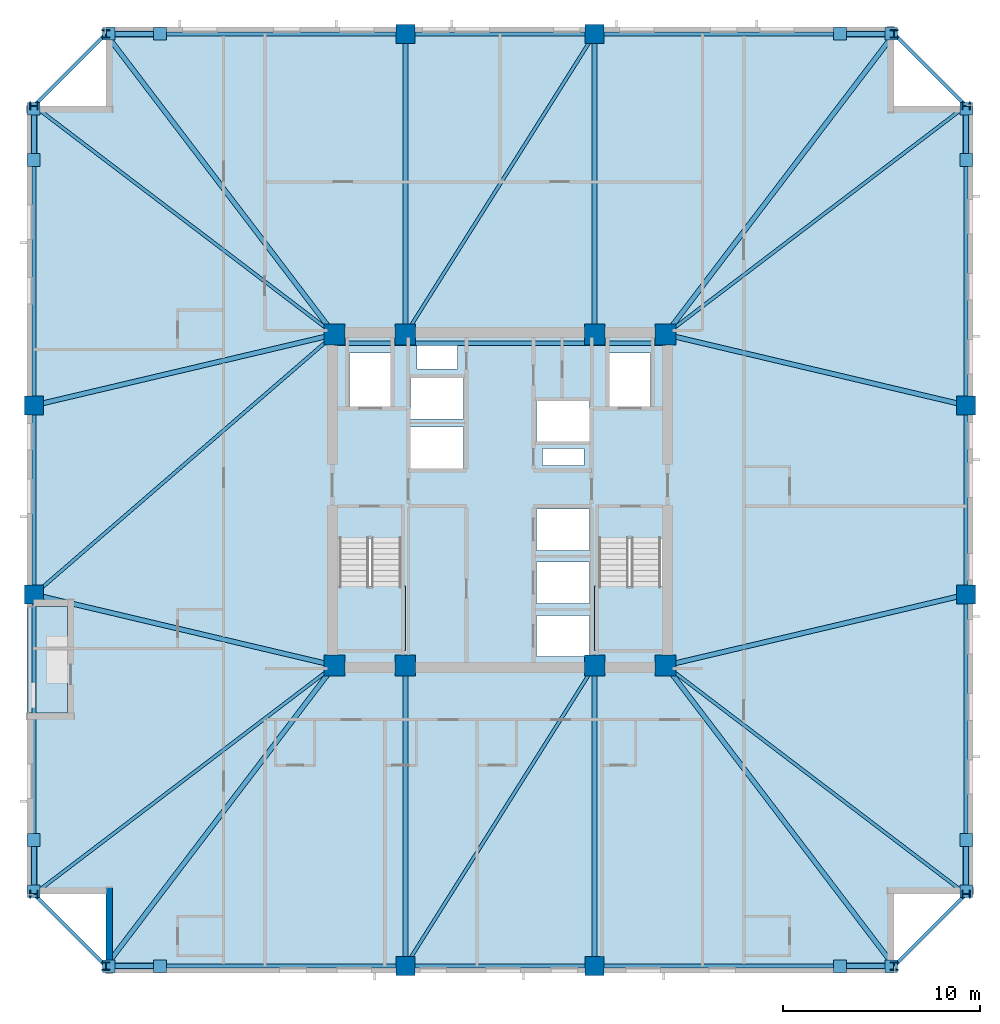
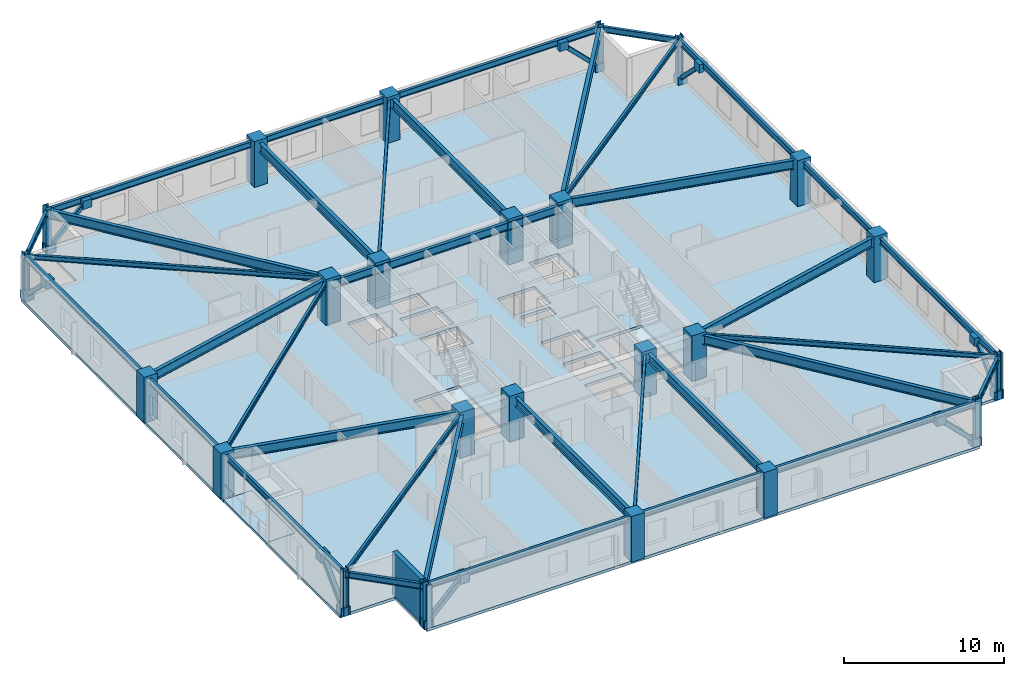
# One storey, part 1 of 10: 38 beams, 24 columns, 16 plates, 8 members, 4 slabs, 1 wall, 2 elements without a shape of their own.
"""IFC4 building model written with IfcOpenShell, lengths in metres."""

from ifc_helpers import new_model, si_unit, direction, frame, frame_2d, origin, origin_2d, place, context, subcontext, project, spatial, polyline, rectangle, hollow_rectangle, i_section, outline, extrude, material, layer, layer_set, material_profile, profile_set, type_object, element, aggregate, save


model = new_model("IFC4")

# Units and contexts
model_context = context("Model", 3, precision=1e-05, world=origin(), true_north=direction((0.0, 1.0)))
body_context = subcontext(model_context, "Body", "Model", "MODEL_VIEW")
ifc_project = project(units=[si_unit("LENGTHUNIT", "METRE"), si_unit("AREAUNIT", "SQUARE_METRE"), si_unit("VOLUMEUNIT", "CUBIC_METRE"), si_unit("PLANEANGLEUNIT", "RADIAN"), si_unit("MASSUNIT", "GRAM", prefix="KILO")], contexts=[model_context])

# Site, building, storey
site_placement = place(None, origin())
site = spatial("IfcSite", under=ifc_project, at=site_placement, CompositionType="ELEMENT")
building_placement = place(site_placement, origin())
building = spatial("IfcBuilding", under=site, at=building_placement, Name="Cairnveth Concourse Tower", CompositionType="ELEMENT")
storey_placement = place(building_placement, frame((0.0, 0.0, 137.5)))
storey = spatial("IfcBuildingStorey", under=building, at=storey_placement, Name="L37", CompositionType="ELEMENT", Elevation=137.5)

# Columns
ifc_material_1 = material(Name="Concrete N65 (65 MPa)", Category="concrete")
ifc_material_profile_1 = material_profile(ifc_material_1, rectangle(XDim=1.050048828125, YDim=1.050048828125, at=origin_2d()), Name="RC-COL-1050x1050")
ifc_profile_set_1 = profile_set([ifc_material_profile_1], Name="Concrete N65 (65 MPa)")
column_type_1 = type_object("IfcColumnType", Name="CORE COLUMN 1050X1050", PredefinedType="COLUMN", material=ifc_profile_set_1)
for number, where, z_axis, x_axis, name in (
    (1, (43.60009765625, 30.60009765625, 0.0), (0.0, 0.0, 1.0), (1.0, 0.0, 0.0), "Column CC1 L37"),
    (2, (47.199951171875, 30.60009765625, 0.0), (0.0, 0.0, 1.0), (1.0, 0.0, 0.0), "Column CC2 L37"),
    (3, (56.800048828125, 30.60009765625, 0.0), (0.0, 0.0, 1.0), (1.0, 0.0, 0.0), "Column CC3 L37"),
    (4, (60.39990234375, 30.60009765625, 0.0), (0.0, 0.0, 1.0), (1.0, 0.0, 0.0), "Column CC4 L37"),
    (5, (43.60009765625, 47.39990234375, 0.0), (0.0, 0.0, 1.0), (1.0, 0.0, 0.0), "Column CC5 L37"),
    (6, (47.199951171875, 47.39990234375, 0.0), (0.0, 0.0, 1.0), (1.0, 0.0, 0.0), "Column CC6 L37"),
    (7, (56.800048828125, 47.39990234375, 0.0), (0.0, 0.0, 1.0), (1.0, 0.0, 0.0), "Column CC7 L37"),
    (8, (60.39990234375, 47.39990234375, 0.0), (0.0, 0.0, 1.0), (1.0, 0.0, 0.0), "Column CC8 L37"),
):
    element("IfcColumn", number, at=place(storey_placement, frame(where, z_axis=z_axis, x_axis=x_axis)), inside=storey, type_object=column_type_1, Name=name, PredefinedType="COLUMN", context=body_context, shape_type="SweptSolid", body=[
        extrude(rectangle(XDim=1.050048828125, YDim=1.050048828125, at=origin_2d()), origin(), (0.0, 0.0, 1.0), 3.5),
    ])
ifc_material_profile_2 = material_profile(ifc_material_1, rectangle(XDim=0.949951171875, YDim=0.949951171875, at=origin_2d()), Name="RC-COL-950x950")
ifc_profile_set_2 = profile_set([ifc_material_profile_2], Name="Concrete N65 (65 MPa)")
column_type_2 = type_object("IfcColumnType", Name="PERIMETER PIER COLUMN 950X950", PredefinedType="COLUMN", material=ifc_profile_set_2)
for number, where, z_axis, x_axis, name in (
    (9, (47.199951171875, 15.35009765625, 0.0), (0.0, 0.0, 1.0), (1.0, 0.0, 0.0), "Column P-S2 L37"),
    (10, (56.800048828125, 15.35009765625, 0.0), (0.0, 0.0, 1.0), (1.0, 0.0, 0.0), "Column P-S3 L37"),
    (11, (75.64990234375, 34.199951171875, 0.0), (0.0, 0.0, 1.0), (0.0, 1.0, 0.0), "Column P-E2 L37"),
    (12, (75.64990234375, 43.800048828125, 0.0), (0.0, 0.0, 1.0), (0.0, 1.0, 0.0), "Column P-E3 L37"),
    (13, (56.800048828125, 62.64990234375, 0.0), (0.0, 0.0, 1.0), (1.0, 0.0, 0.0), "Column P-N2 L37"),
    (14, (47.199951171875, 62.64990234375, 0.0), (0.0, 0.0, 1.0), (1.0, 0.0, 0.0), "Column P-N3 L37"),
    (15, (28.35009765625, 43.800048828125, 0.0), (0.0, 0.0, 1.0), (0.0, 1.0, 0.0), "Column P-W2 L37"),
    (16, (28.35009765625, 34.199951171875, 0.0), (0.0, 0.0, 1.0), (0.0, 1.0, 0.0), "Column P-W3 L37"),
):
    element("IfcColumn", number, at=place(storey_placement, frame(where, z_axis=z_axis, x_axis=x_axis)), inside=storey, type_object=column_type_2, Name=name, PredefinedType="COLUMN", context=body_context, shape_type="SweptSolid", body=[
        extrude(rectangle(XDim=0.949951171875, YDim=0.949951171875, at=origin_2d()), origin(), (0.0, 0.0, 1.0), 3.5),
    ])
ifc_material_2 = material(Name="Steel Grade 350", Category="steel")
ifc_material_profile_3 = material_profile(ifc_material_2, i_section(OverallWidth=0.39990234375, OverallDepth=0.39990234375, WebThickness=0.02197265625, FlangeThickness=0.035888671875, at=origin_2d()), Name="400WC270")
ifc_profile_set_3 = profile_set([ifc_material_profile_3], Name="Steel Grade 350")
column_type_3 = type_object("IfcColumnType", Name="WELDED STEEL COLUMN 400WC270", PredefinedType="COLUMN", material=ifc_profile_set_3)
for number, where, z_axis, x_axis, name in (
    (17, (32.0, 15.35009765625, 0.0), (0.0, 0.0, 1.0), (1.0, 0.0, 0.0), "Column P-S1 L37"),
    (18, (72.0, 15.35009765625, 0.0), (0.0, 0.0, 1.0), (1.0, 0.0, 0.0), "Column P-S4 L37"),
    (19, (75.64990234375, 19.0, 0.0), (0.0, 0.0, 1.0), (0.0, 1.0, 0.0), "Column P-E1 L37"),
    (20, (75.64990234375, 59.0, 0.0), (0.0, 0.0, 1.0), (0.0, 1.0, 0.0), "Column P-E4 L37"),
    (21, (72.0, 62.64990234375, 0.0), (0.0, 0.0, 1.0), (1.0, 0.0, 0.0), "Column P-N1 L37"),
    (22, (32.0, 62.64990234375, 0.0), (0.0, 0.0, 1.0), (1.0, 0.0, 0.0), "Column P-N4 L37"),
    (23, (28.35009765625, 59.0, 0.0), (0.0, 0.0, 1.0), (0.0, 1.0, 0.0), "Column P-W1 L37"),
    (24, (28.35009765625, 19.0, 0.0), (0.0, 0.0, 1.0), (0.0, 1.0, 0.0), "Column P-W4 L37"),
):
    element("IfcColumn", number, at=place(storey_placement, frame(where, z_axis=z_axis, x_axis=x_axis)), inside=storey, type_object=column_type_3, Name=name, PredefinedType="COLUMN", context=body_context, shape_type="SweptSolid", body=[
        extrude(i_section(OverallWidth=0.39990234375, OverallDepth=0.39990234375, WebThickness=0.02197265625, FlangeThickness=0.035888671875, at=origin_2d()), origin(), (0.0, 0.0, 1.0), 3.5),
    ])

# Beams
ifc_material_profile_4 = material_profile(ifc_material_2, i_section(OverallWidth=0.22802734375, OverallDepth=0.60693359375, WebThickness=0.01123046875, FlangeThickness=0.017333984375, FilletRadius=0.013916015625, at=origin_2d()), Name="610UB113")
ifc_profile_set_4 = profile_set([ifc_material_profile_4], Name="Steel Grade 350")
beam_type_1 = type_object("IfcBeamType", Name="CORE TIE BEAM 610UB113", PredefinedType="T_BEAM", material=ifc_profile_set_4)
for number, where, z_axis, x_axis, name in (
    (25, (43.60009765625, 46.949951171875, 2.9765625), (1.0, 0.0, 0.0), (0.0, 1.0, 0.0), "Beam CT-N1 L37"),
    (26, (56.800048828125, 46.949951171875, 2.9765625), (1.0, 0.0, 0.0), (0.0, 1.0, 0.0), "Beam CT-N3 L37"),
):
    element("IfcBeam", number, at=place(storey_placement, frame(where, z_axis=z_axis, x_axis=x_axis)), inside=storey, type_object=beam_type_1, Name=name, PredefinedType="T_BEAM", context=body_context, shape_type="SweptSolid", body=[
        extrude(i_section(OverallWidth=0.22802734375, OverallDepth=0.60693359375, WebThickness=0.01123046875, FlangeThickness=0.017333984375, FilletRadius=0.013916015625, at=origin_2d()), origin(), (0.0, 0.0, 1.0), 3.599853515625),
    ])
beam_1_placement = place(storey_placement, frame((47.199951171875, 46.949951171875, 2.9765625), z_axis=(1.0, 0.0, 0.0), x_axis=(0.0, 1.0, 0.0)))
element("IfcBeam", 27, at=beam_1_placement, inside=storey, type_object=beam_type_1, Name="Beam CT-N2 L37", PredefinedType="T_BEAM", context=body_context, shape_type="SweptSolid", body=[
    extrude(i_section(OverallWidth=0.22802734375, OverallDepth=0.60693359375, WebThickness=0.01123046875, FlangeThickness=0.017333984375, FilletRadius=0.013916015625, at=origin_2d()), origin(), (0.0, 0.0, 1.0), 9.60009765625),
])
ifc_material_profile_5 = material_profile(ifc_material_2, i_section(OverallWidth=0.172119140625, OverallDepth=0.35888671875, WebThickness=0.008056640625, FlangeThickness=0.012939453125, FilletRadius=0.010986328125, at=origin_2d()), Name="360UB56.7")
ifc_profile_set_5 = profile_set([ifc_material_profile_5], Name="Steel Grade 350")
beam_type_2 = type_object("IfcBeamType", Name="ZONE 2 FLOOR JOIST 360UB56.7", PredefinedType="JOIST", material=ifc_profile_set_5)
for number, where, z_axis, x_axis, name in (
    (28, (28.35009765625, 19.0, 3.1005859375), (0.795908242904, 0.6054172684, 0.0), (-0.6054172684, 0.795908242904, 0.0), "Beam FJ-CSW2 L37"),
    (29, (75.64990234375, 19.0, 3.1005859375), (-0.795908242904, 0.6054172684, 0.0), (-0.6054172684, -0.795908242904, 0.0), "Beam FJ-CSE2 L37"),
    (30, (75.64990234375, 59.0, 3.1005859375), (-0.795908242904, -0.6054172684, 0.0), (0.6054172684, -0.795908242904, 0.0), "Beam FJ-CNE2 L37"),
    (31, (28.35009765625, 59.0, 3.1005859375), (0.795908242904, -0.6054172684, 0.0), (0.6054172684, 0.795908242904, 0.0), "Beam FJ-CNW2 L37"),
):
    element("IfcBeam", number, at=place(storey_placement, frame(where, z_axis=z_axis, x_axis=x_axis)), inside=storey, type_object=beam_type_2, Name=name, PredefinedType="JOIST", context=body_context, shape_type="SweptSolid", body=[
        extrude(i_section(OverallWidth=0.172119140625, OverallDepth=0.35888671875, WebThickness=0.008056640625, FlangeThickness=0.012939453125, FilletRadius=0.010986328125, at=origin_2d()), origin(), (0.0, 0.0, 1.0), 19.160400390625),
    ])
for number, where, z_axis, x_axis, name in (
    (32, (47.199951171875, 15.35009765625, 3.1005859375), (0.532743557037, 0.84627672923, 0.0), (-0.84627672923, 0.532743557037, 0.0), "Beam FJ-S-M1 L37"),
    (33, (47.199951171875, 47.39990234375, 3.1005859375), (0.532743557037, 0.84627672923, 0.0), (-0.84627672923, 0.532743557037, 0.0), "Beam FJ-N-M1 L37"),
):
    element("IfcBeam", number, at=place(storey_placement, frame(where, z_axis=z_axis, x_axis=x_axis)), inside=storey, type_object=beam_type_2, Name=name, PredefinedType="JOIST", context=body_context, shape_type="SweptSolid", body=[
        extrude(i_section(OverallWidth=0.172119140625, OverallDepth=0.35888671875, WebThickness=0.008056640625, FlangeThickness=0.012939453125, FilletRadius=0.010986328125, at=origin_2d()), origin(), (0.0, 0.0, 1.0), 18.02001953125),
    ])
beam_2_placement = place(storey_placement, frame((28.35009765625, 34.199951171875, 3.1005859375), z_axis=(0.756099107057, 0.654457134049, 0.0), x_axis=(-0.654457134049, 0.756099107057, 0.0)))
element("IfcBeam", 34, at=beam_2_placement, inside=storey, type_object=beam_type_2, Name="Beam FJ-W-M1 L37", PredefinedType="JOIST", context=body_context, shape_type="SweptSolid", body=[
    extrude(i_section(OverallWidth=0.172119140625, OverallDepth=0.35888671875, WebThickness=0.008056640625, FlangeThickness=0.012939453125, FilletRadius=0.010986328125, at=origin_2d()), origin(), (0.0, 0.0, 1.0), 20.16943359375),
])

# Members
ifc_material_3 = material(Name="Steel C350L0 (350 MPa)", Category="steel")
ifc_material_profile_6 = material_profile(ifc_material_3, hollow_rectangle(XDim=0.300048828125, YDim=0.300048828125, WallThickness=0.01611328125, InnerFilletRadius=0.01611328125, OuterFilletRadius=0.031982421875, at=origin_2d()), Name="300x300x16.0SHS")
ifc_profile_set_6 = profile_set([ifc_material_profile_6], Name="Steel C350L0 (350 MPa)")
member_type = type_object("IfcMemberType", Name="ZONE 2 PIER BRACE 300X300X16SHS", PredefinedType="BRACE", material=ifc_profile_set_6)
for number, where, z_axis, x_axis, name in (
    (35, (32.14990234375, 15.35009765625, 0.25), (0.709834195787, 0.0, 0.704368805735), (0.0, 1.0, 0.0), "Structural Brace PB-S1 L37"),
    (36, (71.85009765625, 15.35009765625, 0.25), (-0.709834195787, 0.0, 0.704368805735), (0.0, -1.0, 0.0), "Structural Brace PB-S2 L37"),
    (37, (32.14990234375, 62.64990234375, 0.25), (0.709834195787, 0.0, 0.704368805735), (0.0, 1.0, 0.0), "Structural Brace PB-N1 L37"),
    (38, (71.85009765625, 62.64990234375, 0.25), (-0.709834195787, 0.0, 0.704368805735), (0.0, -1.0, 0.0), "Structural Brace PB-N2 L37"),
    (39, (28.35009765625, 19.14990234375, 0.25), (0.0, 0.709834195787, 0.704368805735), (-1.0, 0.0, 0.0), "Structural Brace PB-W1 L37"),
    (40, (28.35009765625, 58.85009765625, 0.25), (0.0, -0.709834195787, 0.704368805735), (1.0, 0.0, 0.0), "Structural Brace PB-W2 L37"),
    (41, (75.64990234375, 19.14990234375, 0.25), (0.0, 0.709834195787, 0.704368805735), (-1.0, 0.0, 0.0), "Structural Brace PB-E1 L37"),
    (42, (75.64990234375, 58.85009765625, 0.25), (0.0, -0.709834195787, 0.704368805735), (1.0, 0.0, 0.0), "Structural Brace PB-E2 L37"),
):
    element("IfcMember", number, at=place(storey_placement, frame(where, z_axis=z_axis, x_axis=x_axis)), inside=storey, type_object=member_type, Name=name, PredefinedType="BRACE", context=body_context, shape_type="SweptSolid", body=[
        extrude(hollow_rectangle(XDim=0.300048828125, YDim=0.300048828125, WallThickness=0.01611328125, InnerFilletRadius=0.01611328125, OuterFilletRadius=0.031982421875, at=origin_2d()), origin(), (0.0, 0.0, 1.0), 3.6630859375),
    ])

# Beams
ifc_material_profile_7 = material_profile(ifc_material_2, i_section(OverallWidth=0.25, OverallDepth=0.699951171875, WebThickness=0.011962890625, FlangeThickness=0.028076171875, at=origin_2d()), Name="700WB173")
ifc_profile_set_7 = profile_set([ifc_material_profile_7], Name="Steel Grade 350")
beam_type_3 = type_object("IfcBeamType", Name="ZONE 2 RADIAL GIRDER 700WB173", PredefinedType="BEAM", material=ifc_profile_set_7)
for number, where, z_axis, x_axis, name in (
    (43, (47.199951171875, 15.35009765625, 2.929931640625), (0.0, 1.0, 0.0), (-1.0, 0.0, 0.0), "Beam RG-S1 L37"),
    (44, (56.800048828125, 15.35009765625, 2.929931640625), (0.0, 1.0, 0.0), (-1.0, 0.0, 0.0), "Beam RG-S2 L37"),
    (45, (47.199951171875, 47.39990234375, 2.929931640625), (0.0, 1.0, 0.0), (-1.0, 0.0, 0.0), "Beam RG-N1 L37"),
    (46, (56.800048828125, 47.39990234375, 2.929931640625), (0.0, 1.0, 0.0), (-1.0, 0.0, 0.0), "Beam RG-N2 L37"),
):
    element("IfcBeam", number, at=place(storey_placement, frame(where, z_axis=z_axis, x_axis=x_axis)), inside=storey, type_object=beam_type_3, Name=name, PredefinedType="BEAM", context=body_context, shape_type="SweptSolid", body=[
        extrude(i_section(OverallWidth=0.25, OverallDepth=0.699951171875, WebThickness=0.011962890625, FlangeThickness=0.028076171875, at=origin_2d()), origin(), (0.0, 0.0, 1.0), 15.25),
    ])
for number, where, z_axis, x_axis, name in (
    (47, (28.35009765625, 34.199951171875, 2.929931640625), (0.973251602929, -0.229741849468, 0.0), (0.229741849468, 0.973251602929, 0.0), "Beam RG-W1 L37"),
    (48, (28.35009765625, 43.800048828125, 2.929931640625), (0.973251602929, 0.229741849468, 0.0), (-0.229741849468, 0.973251602929, 0.0), "Beam RG-W2 L37"),
    (49, (60.39990234375, 30.60009765625, 2.929931640625), (0.973251602929, 0.229741849468, 0.0), (-0.229741849468, 0.973251602929, 0.0), "Beam RG-E1 L37"),
    (50, (60.39990234375, 47.39990234375, 2.929931640625), (0.973251602929, -0.229741849468, 0.0), (0.229741849468, 0.973251602929, 0.0), "Beam RG-E2 L37"),
):
    element("IfcBeam", number, at=place(storey_placement, frame(where, z_axis=z_axis, x_axis=x_axis)), inside=storey, type_object=beam_type_3, Name=name, PredefinedType="BEAM", context=body_context, shape_type="SweptSolid", body=[
        extrude(i_section(OverallWidth=0.25, OverallDepth=0.699951171875, WebThickness=0.011962890625, FlangeThickness=0.028076171875, at=origin_2d()), origin(), (0.0, 0.0, 1.0), 15.669189453125),
    ])
for number, where, z_axis, x_axis, name in (
    (51, (32.0, 15.35009765625, 2.929931640625), (0.6054172684, 0.795908242904, 0.0), (-0.795908242904, 0.6054172684, 0.0), "Beam RG-CSW L37"),
    (52, (72.0, 15.35009765625, 2.929931640625), (-0.6054172684, 0.795908242904, 0.0), (-0.795908242904, -0.6054172684, 0.0), "Beam RG-CSE L37"),
    (53, (72.0, 62.64990234375, 2.929931640625), (-0.6054172684, -0.795908242904, 0.0), (0.795908242904, -0.6054172684, 0.0), "Beam RG-CNE L37"),
    (54, (32.0, 62.64990234375, 2.929931640625), (0.6054172684, -0.795908242904, 0.0), (0.795908242904, 0.6054172684, 0.0), "Beam RG-CNW L37"),
):
    element("IfcBeam", number, at=place(storey_placement, frame(where, z_axis=z_axis, x_axis=x_axis)), inside=storey, type_object=beam_type_3, Name=name, PredefinedType="BEAM", context=body_context, shape_type="SweptSolid", body=[
        extrude(i_section(OverallWidth=0.25, OverallDepth=0.699951171875, WebThickness=0.011962890625, FlangeThickness=0.028076171875, at=origin_2d()), origin(), (0.0, 0.0, 1.0), 19.160400390625),
    ])
ifc_material_profile_8 = material_profile(ifc_material_2, i_section(OverallWidth=0.18994140625, OverallDepth=0.45703125, WebThickness=0.009033203125, FlangeThickness=0.014404296875, FilletRadius=0.010986328125, at=origin_2d()), Name="460UB74.6")
ifc_profile_set_8 = profile_set([ifc_material_profile_8], Name="Steel Grade 350")
beam_type_4 = type_object("IfcBeamType", Name="ZONE 2 SPANDREL BEAM 460UB74.6", PredefinedType="SPANDREL", material=ifc_profile_set_8)
beam_3_placement = place(storey_placement, frame((32.0, 15.35009765625, 3.051513671875), z_axis=(1.0, 0.0, 0.0), x_axis=(0.0, 1.0, 0.0)))
element("IfcBeam", 55, at=beam_3_placement, inside=storey, type_object=beam_type_4, Name="Beam SP-S1 L37", PredefinedType="SPANDREL", context=body_context, shape_type="SweptSolid", body=[
    extrude(i_section(OverallWidth=0.18994140625, OverallDepth=0.45703125, WebThickness=0.009033203125, FlangeThickness=0.014404296875, FilletRadius=0.010986328125, at=origin_2d()), origin(), (0.0, 0.0, 1.0), 15.199951171875),
])
beam_4_placement = place(storey_placement, frame((47.199951171875, 15.35009765625, 3.051513671875), z_axis=(1.0, 0.0, 0.0), x_axis=(0.0, 1.0, 0.0)))
element("IfcBeam", 56, at=beam_4_placement, inside=storey, type_object=beam_type_4, Name="Beam SP-S2 L37", PredefinedType="SPANDREL", context=body_context, shape_type="SweptSolid", body=[
    extrude(i_section(OverallWidth=0.18994140625, OverallDepth=0.45703125, WebThickness=0.009033203125, FlangeThickness=0.014404296875, FilletRadius=0.010986328125, at=origin_2d()), origin(), (0.0, 0.0, 1.0), 9.60009765625),
])
for number, where, z_axis, x_axis, name in (
    (57, (56.800048828125, 15.35009765625, 3.051513671875), (1.0, 0.0, 0.0), (0.0, 1.0, 0.0), "Beam SP-S3 L37"),
    (58, (32.0, 62.64990234375, 3.051513671875), (1.0, 0.0, 0.0), (0.0, 1.0, 0.0), "Beam SP-N1 L37"),
):
    element("IfcBeam", number, at=place(storey_placement, frame(where, z_axis=z_axis, x_axis=x_axis)), inside=storey, type_object=beam_type_4, Name=name, PredefinedType="SPANDREL", context=body_context, shape_type="SweptSolid", body=[
        extrude(i_section(OverallWidth=0.18994140625, OverallDepth=0.45703125, WebThickness=0.009033203125, FlangeThickness=0.014404296875, FilletRadius=0.010986328125, at=origin_2d()), origin(), (0.0, 0.0, 1.0), 15.199951171875),
    ])
beam_5_placement = place(storey_placement, frame((47.199951171875, 62.64990234375, 3.051513671875), z_axis=(1.0, 0.0, 0.0), x_axis=(0.0, 1.0, 0.0)))
element("IfcBeam", 59, at=beam_5_placement, inside=storey, type_object=beam_type_4, Name="Beam SP-N2 L37", PredefinedType="SPANDREL", context=body_context, shape_type="SweptSolid", body=[
    extrude(i_section(OverallWidth=0.18994140625, OverallDepth=0.45703125, WebThickness=0.009033203125, FlangeThickness=0.014404296875, FilletRadius=0.010986328125, at=origin_2d()), origin(), (0.0, 0.0, 1.0), 9.60009765625),
])
for number, where, z_axis, x_axis, name in (
    (60, (56.800048828125, 62.64990234375, 3.051513671875), (1.0, 0.0, 0.0), (0.0, 1.0, 0.0), "Beam SP-N3 L37"),
    (61, (28.35009765625, 19.0, 3.051513671875), (0.0, 1.0, 0.0), (-1.0, 0.0, 0.0), "Beam SP-W1 L37"),
):
    element("IfcBeam", number, at=place(storey_placement, frame(where, z_axis=z_axis, x_axis=x_axis)), inside=storey, type_object=beam_type_4, Name=name, PredefinedType="SPANDREL", context=body_context, shape_type="SweptSolid", body=[
        extrude(i_section(OverallWidth=0.18994140625, OverallDepth=0.45703125, WebThickness=0.009033203125, FlangeThickness=0.014404296875, FilletRadius=0.010986328125, at=origin_2d()), origin(), (0.0, 0.0, 1.0), 15.199951171875),
    ])
beam_6_placement = place(storey_placement, frame((28.35009765625, 34.199951171875, 3.051513671875), z_axis=(0.0, 1.0, 0.0), x_axis=(-1.0, 0.0, 0.0)))
element("IfcBeam", 62, at=beam_6_placement, inside=storey, type_object=beam_type_4, Name="Beam SP-W2 L37", PredefinedType="SPANDREL", context=body_context, shape_type="SweptSolid", body=[
    extrude(i_section(OverallWidth=0.18994140625, OverallDepth=0.45703125, WebThickness=0.009033203125, FlangeThickness=0.014404296875, FilletRadius=0.010986328125, at=origin_2d()), origin(), (0.0, 0.0, 1.0), 9.60009765625),
])
for number, where, z_axis, x_axis, name in (
    (63, (28.35009765625, 43.800048828125, 3.051513671875), (0.0, 1.0, 0.0), (-1.0, 0.0, 0.0), "Beam SP-W3 L37"),
    (64, (75.64990234375, 19.0, 3.051513671875), (0.0, 1.0, 0.0), (-1.0, 0.0, 0.0), "Beam SP-E1 L37"),
):
    element("IfcBeam", number, at=place(storey_placement, frame(where, z_axis=z_axis, x_axis=x_axis)), inside=storey, type_object=beam_type_4, Name=name, PredefinedType="SPANDREL", context=body_context, shape_type="SweptSolid", body=[
        extrude(i_section(OverallWidth=0.18994140625, OverallDepth=0.45703125, WebThickness=0.009033203125, FlangeThickness=0.014404296875, FilletRadius=0.010986328125, at=origin_2d()), origin(), (0.0, 0.0, 1.0), 15.199951171875),
    ])
beam_7_placement = place(storey_placement, frame((75.64990234375, 34.199951171875, 3.051513671875), z_axis=(0.0, 1.0, 0.0), x_axis=(-1.0, 0.0, 0.0)))
element("IfcBeam", 65, at=beam_7_placement, inside=storey, type_object=beam_type_4, Name="Beam SP-E2 L37", PredefinedType="SPANDREL", context=body_context, shape_type="SweptSolid", body=[
    extrude(i_section(OverallWidth=0.18994140625, OverallDepth=0.45703125, WebThickness=0.009033203125, FlangeThickness=0.014404296875, FilletRadius=0.010986328125, at=origin_2d()), origin(), (0.0, 0.0, 1.0), 9.60009765625),
])
beam_8_placement = place(storey_placement, frame((75.64990234375, 43.800048828125, 3.051513671875), z_axis=(0.0, 1.0, 0.0), x_axis=(-1.0, 0.0, 0.0)))
element("IfcBeam", 66, at=beam_8_placement, inside=storey, type_object=beam_type_4, Name="Beam SP-E3 L37", PredefinedType="SPANDREL", context=body_context, shape_type="SweptSolid", body=[
    extrude(i_section(OverallWidth=0.18994140625, OverallDepth=0.45703125, WebThickness=0.009033203125, FlangeThickness=0.014404296875, FilletRadius=0.010986328125, at=origin_2d()), origin(), (0.0, 0.0, 1.0), 15.199951171875),
])
for number, where, z_axis, x_axis, name in (
    (67, (28.35009765625, 19.0, 3.051513671875), (0.707106781187, -0.707106781187, 0.0), (0.707106781187, 0.707106781187, 0.0), "Beam SP-SW L37"),
    (68, (72.0, 15.35009765625, 3.051513671875), (0.707106781187, 0.707106781187, 0.0), (-0.707106781187, 0.707106781187, 0.0), "Beam SP-SE L37"),
    (69, (72.0, 62.64990234375, 3.051513671875), (0.707106781187, -0.707106781187, 0.0), (0.707106781187, 0.707106781187, 0.0), "Beam SP-NE L37"),
    (70, (28.35009765625, 59.0, 3.051513671875), (0.707106781187, 0.707106781187, 0.0), (-0.707106781187, 0.707106781187, 0.0), "Beam SP-NW L37"),
):
    element("IfcBeam", number, at=place(storey_placement, frame(where, z_axis=z_axis, x_axis=x_axis)), inside=storey, type_object=beam_type_4, Name=name, PredefinedType="SPANDREL", context=body_context, shape_type="SweptSolid", body=[
        extrude(i_section(OverallWidth=0.18994140625, OverallDepth=0.45703125, WebThickness=0.009033203125, FlangeThickness=0.014404296875, FilletRadius=0.010986328125, at=origin_2d()), origin(), (0.0, 0.0, 1.0), 5.16162109375),
    ])

# Slab
ifc_material_4 = material(Name="Concrete N50 (50 MPa)", Category="concrete")
ifc_layer_1 = layer(ifc_material_4, 0.219970703125)
ifc_layer_set_1 = layer_set([ifc_layer_1], Name="Concrete N50 (50 MPa)")
slab_type_1 = type_object("IfcSlabType", Name="LOWER TOWER COMPOSITE SLAB 220", PredefinedType="FLOOR", material=ifc_layer_set_1)
slab_1_placement = place(storey_placement, frame((0.0, 0.0, -0.219970703125)))
element("IfcSlab", 71, at=slab_1_placement, inside=storey, type_object=slab_type_1, Name="Tower Floor Slab L37", PredefinedType="FLOOR", context=body_context, shape_type="SweptSolid", body=[
    extrude(outline(polyline([(28.0, 33.60009765625), (30.050048828125, 33.60009765625), (30.050048828125, 28.199951171875), (28.0, 28.199951171875), (28.0, 19.0), (32.0, 19.0), (32.0, 15.0), (72.0, 15.0), (72.0, 19.0), (76.0, 19.0), (76.0, 59.0), (72.0, 59.0), (72.0, 63.0), (32.0, 63.0), (32.0, 59.0), (28.0, 59.0), (28.0, 33.60009765625)]), holes=[polyline([(43.760009765625, 31.360107421875), (47.06005859375, 31.360107421875), (47.06005859375, 37.0400390625), (43.760009765625, 37.0400390625), (43.760009765625, 31.360107421875)]), polyline([(56.93994140625, 31.360107421875), (60.239990234375, 31.360107421875), (60.239990234375, 37.0400390625), (56.93994140625, 37.0400390625), (56.93994140625, 31.360107421875)]), polyline([(44.3701171875, 43.75), (46.469970703125, 43.75), (46.469970703125, 46.449951171875), (44.3701171875, 46.449951171875), (44.3701171875, 43.75)]), polyline([(57.530029296875, 43.75), (59.6298828125, 43.75), (59.6298828125, 46.449951171875), (57.530029296875, 46.449951171875), (57.530029296875, 43.75)]), polyline([(53.85009765625, 31.050048828125), (56.550048828125, 31.050048828125), (56.550048828125, 33.14990234375), (53.85009765625, 33.14990234375), (53.85009765625, 31.050048828125)]), polyline([(53.85009765625, 33.75), (56.550048828125, 33.75), (56.550048828125, 35.85009765625), (53.85009765625, 35.85009765625), (53.85009765625, 33.75)]), polyline([(53.85009765625, 36.449951171875), (56.550048828125, 36.449951171875), (56.550048828125, 38.550048828125), (53.85009765625, 38.550048828125), (53.85009765625, 36.449951171875)]), polyline([(47.449951171875, 40.60009765625), (50.14990234375, 40.60009765625), (50.14990234375, 42.699951171875), (47.449951171875, 42.699951171875), (47.449951171875, 40.60009765625)]), polyline([(47.449951171875, 43.10009765625), (50.14990234375, 43.10009765625), (50.14990234375, 45.199951171875), (47.449951171875, 45.199951171875), (47.449951171875, 43.10009765625)]), polyline([(53.85009765625, 41.949951171875), (56.550048828125, 41.949951171875), (56.550048828125, 44.050048828125), (53.85009765625, 44.050048828125), (53.85009765625, 41.949951171875)]), polyline([(47.800048828125, 45.64990234375), (49.85009765625, 45.64990234375), (49.85009765625, 47.050048828125), (47.800048828125, 47.050048828125), (47.800048828125, 45.64990234375)]), polyline([(54.14990234375, 40.75), (56.25, 40.75), (56.25, 41.6201171875), (54.14990234375, 41.6201171875), (54.14990234375, 40.75)])]), origin(), (0.0, 0.0, 1.0), 0.219970703125),
])

# Plates
ifc_layer_2 = layer(ifc_material_2, 0.031982421875)
ifc_layer_set_2 = layer_set([ifc_layer_2], Name="Steel Grade 350")
plate_type = type_object("IfcPlateType", Name="PERIMETER BRACE GUSSET PLATE 32", PredefinedType="USERDEFINED", material=ifc_layer_set_2)
for number, where, z_axis, x_axis, name in (
    (72, (32.14990234375, 15.35009765625, -0.06982421875), (0.0, 0.0, 1.0), (1.0, 0.0, 0.0), "Structural Node Plate 0625 L37"),
    (73, (34.75, 15.35009765625, 2.51025390625), (0.0, 0.0, 1.0), (1.0, 0.0, 0.0), "Structural Node Plate 0626 L37"),
    (74, (71.85009765625, 15.35009765625, -0.06982421875), (0.0, 0.0, 1.0), (1.0, 0.0, 0.0), "Structural Node Plate 0627 L37"),
    (75, (69.25, 15.35009765625, 2.51025390625), (0.0, 0.0, 1.0), (1.0, 0.0, 0.0), "Structural Node Plate 0628 L37"),
    (76, (32.14990234375, 62.64990234375, -0.06982421875), (0.0, 0.0, 1.0), (1.0, 0.0, 0.0), "Structural Node Plate 0629 L37"),
    (77, (34.75, 62.64990234375, 2.51025390625), (0.0, 0.0, 1.0), (1.0, 0.0, 0.0), "Structural Node Plate 0630 L37"),
    (78, (71.85009765625, 62.64990234375, -0.06982421875), (0.0, 0.0, 1.0), (1.0, 0.0, 0.0), "Structural Node Plate 0631 L37"),
    (79, (69.25, 62.64990234375, 2.51025390625), (0.0, 0.0, 1.0), (1.0, 0.0, 0.0), "Structural Node Plate 0632 L37"),
    (80, (28.35009765625, 19.14990234375, -0.06982421875), (0.0, 0.0, 1.0), (1.0, 0.0, 0.0), "Structural Node Plate 0633 L37"),
    (81, (28.35009765625, 21.75, 2.51025390625), (0.0, 0.0, 1.0), (1.0, 0.0, 0.0), "Structural Node Plate 0634 L37"),
    (82, (28.35009765625, 58.85009765625, -0.06982421875), (0.0, 0.0, 1.0), (1.0, 0.0, 0.0), "Structural Node Plate 0635 L37"),
    (83, (28.35009765625, 56.25, 2.51025390625), (0.0, 0.0, 1.0), (1.0, 0.0, 0.0), "Structural Node Plate 0636 L37"),
    (84, (75.64990234375, 19.14990234375, -0.06982421875), (0.0, 0.0, 1.0), (1.0, 0.0, 0.0), "Structural Node Plate 0637 L37"),
    (85, (75.64990234375, 21.75, 2.51025390625), (0.0, 0.0, 1.0), (1.0, 0.0, 0.0), "Structural Node Plate 0638 L37"),
    (86, (75.64990234375, 58.85009765625, -0.06982421875), (0.0, 0.0, 1.0), (1.0, 0.0, 0.0), "Structural Node Plate 0639 L37"),
    (87, (75.64990234375, 56.25, 2.51025390625), (0.0, 0.0, 1.0), (1.0, 0.0, 0.0), "Structural Node Plate 0640 L37"),
):
    element("IfcPlate", number, at=place(storey_placement, frame(where, z_axis=z_axis, x_axis=x_axis)), inside=storey, type_object=plate_type, Name=name, ObjectType="GUSSET PLATE", PredefinedType="USERDEFINED", context=body_context, shape_type="SweptSolid", body=[
        extrude(rectangle(XDim=0.639892578125, YDim=0.639892578125, at=origin_2d()), origin(), (0.0, 0.0, 1.0), 0.639892578125),
    ])

# Slab
ifc_layer_3 = layer(ifc_material_4, 0.18994140625)
ifc_layer_set_3 = layer_set([ifc_layer_3], Name="Concrete N50 (50 MPa)")
slab_type_2 = type_object("IfcSlabType", Name="SPIRAL OUTDOOR TERRACE SLAB 190", PredefinedType="FLOOR", material=ifc_layer_set_3)
slab_2_placement = place(storey_placement, frame((0.0, 0.0, -0.18994140625)))
element("IfcSlab", 88, at=slab_2_placement, inside=storey, type_object=slab_type_2, Name="Spiral Terrace Slab L37", PredefinedType="FLOOR", context=body_context, shape_type="SweptSolid", body=[
    extrude(outline(polyline([(28.0, 28.199951171875), (30.050048828125, 28.199951171875), (30.050048828125, 33.60009765625), (28.0, 33.60009765625), (28.0, 28.199951171875)])), origin(), (0.0, 0.0, 1.0), 0.18994140625),
])

# Stair, slab
ifc_material_5 = material(Name="Precast concrete N50 (50 MPa)", Category="concrete")
stair_type = type_object("IfcStairType", Name="CORE DOG-LEG FIRE STAIR 1500", PredefinedType="HALF_TURN_STAIR", material=ifc_material_5)
stair_1_placement = place(storey_placement, origin())
stair_1 = element("IfcStair", 89, at=stair_1_placement, inside=storey, type_object=stair_type, Name="L37 Fire-Isolated Stair ST-1", PredefinedType="HALF_TURN_STAIR")
ifc_layer_4 = layer(ifc_material_4, 0.199951171875)
ifc_layer_set_4 = layer_set([ifc_layer_4], Name="Concrete N50 (50 MPa)")
slab_type_3 = type_object("IfcSlabType", Name="STAIR HALF LANDING SLAB 200", PredefinedType="LANDING", material=ifc_layer_set_4)
slab_3_placement = place(storey_placement, frame((0.0, 0.0, 1.550048828125)))
slab_3 = element("IfcSlab", 90, at=slab_3_placement, type_object=slab_type_3, Name="ST-1 landing 1", PredefinedType="LANDING", context=body_context, shape_type="SweptSolid", body=[
    extrude(outline(polyline([(43.6201171875, 34.639892578125), (43.6201171875, 31.3701171875), (47.199951171875, 31.3701171875), (47.199951171875, 34.639892578125), (43.6201171875, 34.639892578125)])), origin(), (0.0, 0.0, 1.0), 0.199951171875),
])
aggregate(stair_1, [slab_3])

stair_2_placement = place(storey_placement, origin())
stair_2 = element("IfcStair", 91, at=stair_2_placement, inside=storey, type_object=stair_type, Name="L37 Fire-Isolated Stair ST-2", PredefinedType="HALF_TURN_STAIR")
slab_4_placement = place(storey_placement, frame((0.0, 0.0, 1.550048828125)))
slab_4 = element("IfcSlab", 92, at=slab_4_placement, type_object=slab_type_3, Name="ST-2 landing 1", PredefinedType="LANDING", context=body_context, shape_type="SweptSolid", body=[
    extrude(outline(polyline([(56.800048828125, 34.639892578125), (56.800048828125, 31.3701171875), (60.3798828125, 31.3701171875), (60.3798828125, 34.639892578125), (56.800048828125, 34.639892578125)])), origin(), (0.0, 0.0, 1.0), 0.199951171875),
])
aggregate(stair_2, [slab_4])

# Wall
ifc_material_6 = material(Name="Hawthorn Red-Ochre Fired Clay Brick Masonry", Category="masonry")
ifc_layer_5 = layer(ifc_material_6, 0.340087890625)
ifc_layer_set_5 = layer_set([ifc_layer_5], Name="Hawthorn Red-Ochre Fired Clay Brick Masonry")
wall_type = type_object("IfcWallType", Name="ZONE 2 BRICK PIER SPANDREL WALL 340", PredefinedType="SOLIDWALL", material=ifc_layer_set_5)
wall_placement = place(storey_placement, frame((32.169921875, 15.0, 0.0), z_axis=(0.0, 0.0, 1.0), x_axis=(0.0, 1.0, 0.0)))
element("IfcWall", 93, at=wall_placement, inside=storey, type_object=wall_type, Name="Exterior Wall EW-L37-S10", PredefinedType="SOLIDWALL", context=body_context, shape_type="SweptSolid", body=[
    extrude(rectangle(XDim=4.340087890625, YDim=0.340087890625, at=frame_2d((2.169921875, 0.0))), origin(), (0.0, 0.0, 1.0), 3.280029296875),
])

save(model, "model.ifc")
